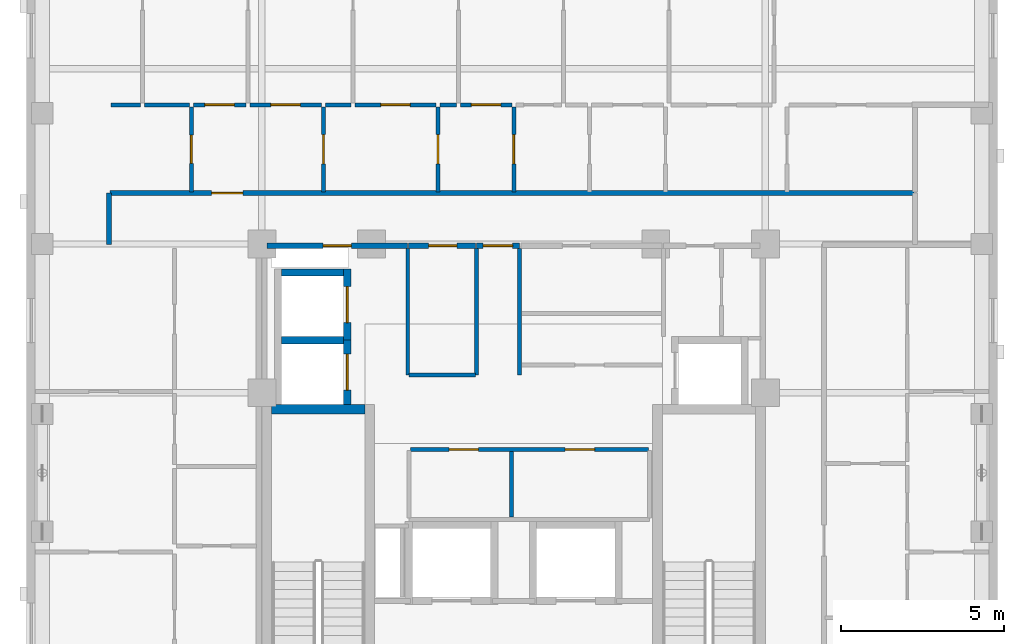
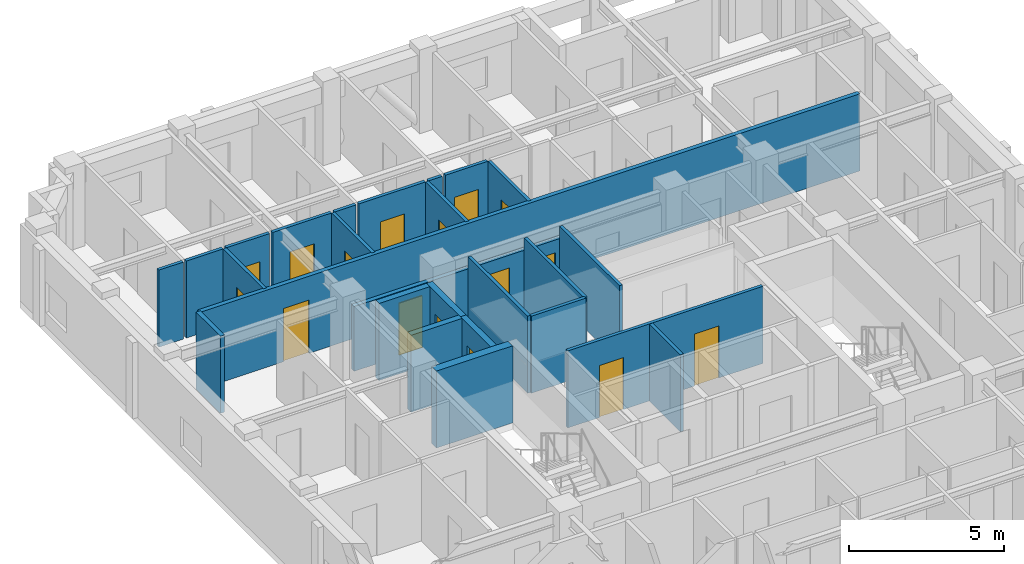
# One storey, part 5 of 11: 28 walls, 16 doors, 16 openings.
"""IFC4 building model written with IfcOpenShell, lengths in metres."""

from ifc_helpers import new_model, si_unit, derived_unit, direction, frame, frame_2d, origin, place, context, subcontext, project, spatial, rectangle, extrude, material, layer, layer_set, type_object, element, fill, save


model = new_model("IFC4")

# Units and contexts
model_context = context("Model", 3, precision=1e-05, world=origin(), true_north=direction((0.0, 1.0)))
body_context = subcontext(model_context, "Body", "Model", "MODEL_VIEW")
ifc_project = project(units=[si_unit("LENGTHUNIT", "METRE"), si_unit("AREAUNIT", "SQUARE_METRE"), si_unit("VOLUMEUNIT", "CUBIC_METRE"), si_unit("PLANEANGLEUNIT", "RADIAN"), si_unit("MASSUNIT", "GRAM", prefix="KILO"), derived_unit("THERMALTRANSMITTANCEUNIT", [(si_unit("MASSUNIT", "GRAM", prefix="KILO"), 1), (si_unit("TIMEUNIT", "SECOND"), -3), (si_unit("THERMODYNAMICTEMPERATUREUNIT", "KELVIN"), -1)])], contexts=[model_context])

# Site, building, storey
site_placement = place(None, origin())
site = spatial("IfcSite", under=ifc_project, at=site_placement, CompositionType="ELEMENT")
building_placement = place(site_placement, origin())
building = spatial("IfcBuilding", under=site, at=building_placement, Name="Korrvale Station Residences", CompositionType="ELEMENT")
storey_placement = place(building_placement, frame((0.0, 0.0, 194.199951171875)))
storey = spatial("IfcBuildingStorey", under=building, at=storey_placement, Name="L56", CompositionType="ELEMENT", Elevation=194.199951171875)

# Walls
ifc_material_1 = material(Name="Concrete C50/60", Category="concrete")
ifc_layer_1 = layer(ifc_material_1, 0.300048828125, Name="Concrete C50/60")
ifc_layer_set_1 = layer_set([ifc_layer_1], Name="Concrete C50/60")
wall_type_1 = type_object("IfcWallType", Name="WAL-CORE-300-C50", PredefinedType="SHEAR", material=ifc_layer_set_1)
wall_1_placement = place(storey_placement, frame((18.10009765625, 23.949951171875, 0.0), z_axis=(0.0, 0.0, 1.0), x_axis=(1.0, 0.0, 0.0)))
element("IfcWall", 1, at=wall_1_placement, inside=storey, type_object=wall_type_1, Name="L56 ST-1 Core Shear Wall North", PredefinedType="SHEAR", context=body_context, shape_type="SweptSolid", body=[
    extrude(rectangle(XDim=2.849853515625, YDim=0.300048828125, at=frame_2d((1.4248046875, 0.0))), origin(), (0.0, 0.0, 1.0), 3.0400390625),
])
ifc_material_2 = material(Name="Acoustic steel-stud gypsum board partition", Category="steel")
ifc_layer_2 = layer(ifc_material_2, 0.1201171875, Name="Acoustic steel-stud gypsum board partition")
ifc_layer_set_2 = layer_set([ifc_layer_2], Name="Acoustic steel-stud gypsum board partition")
wall_type_2 = type_object("IfcWallType", Name="WAL-PART-125", PredefinedType="PARTITIONING", material=ifc_layer_set_2)
for number, where, z_axis, x_axis, name in (
    (2, (24.360107421875, 25.0, 0.0), (0.0, 0.0, 1.0), (0.0, 1.0, 0.0), "L56 Core Partition CW-PSG-W"),
    (3, (25.679931640625, 25.0, 0.0), (0.0, 0.0, 1.0), (0.0, 1.0, 0.0), "L56 Core Partition CW-PSG-E"),
):
    element("IfcWall", number, at=place(storey_placement, frame(where, z_axis=z_axis, x_axis=x_axis)), inside=storey, type_object=wall_type_2, Name=name, PredefinedType="PARTITIONING", context=body_context, shape_type="SweptSolid", body=[
        extrude(rectangle(XDim=3.8701171875, YDim=0.1201171875, at=frame_2d((1.93505859375, 0.0))), origin(), (0.0, 0.0, 1.0), 3.0400390625),
    ])
wall_2_placement = place(storey_placement, frame((22.260009765625, 25.0, 0.0), z_axis=(0.0, 0.0, 1.0), x_axis=(0.0, 1.0, 0.0)))
element("IfcWall", 4, at=wall_2_placement, inside=storey, type_object=wall_type_2, Name="L56 Core Partition CW-FPLW-W", PredefinedType="PARTITIONING", context=body_context, shape_type="SweptSolid", body=[
    extrude(rectangle(XDim=3.860107421875, YDim=0.1201171875, at=frame_2d((1.93017578125, 0.0))), origin(), (0.0, 0.0, 1.0), 3.0400390625),
])
wall_3_placement = place(storey_placement, frame((22.300048828125, 25.0, 0.0), z_axis=(0.0, 0.0, 1.0), x_axis=(1.0, 0.0, 0.0)))
element("IfcWall", 5, at=wall_3_placement, inside=storey, type_object=wall_type_2, Name="L56 Core Partition CW-FPLW-S", PredefinedType="PARTITIONING", context=body_context, shape_type="SweptSolid", body=[
    extrude(rectangle(XDim=2.0400390625, YDim=0.1201171875, at=frame_2d((1.02001953125, 0.0))), origin(), (0.0, 0.0, 1.0), 3.0400390625),
])
wall_4_placement = place(storey_placement, frame((25.43994140625, 20.64990234375, 0.0), z_axis=(0.0, 0.0, 1.0), x_axis=(0.0, 1.0, 0.0)))
element("IfcWall", 6, at=wall_4_placement, inside=storey, type_object=wall_type_2, Name="L56 Core Partition CW-FPM-M", PredefinedType="PARTITIONING", context=body_context, shape_type="SweptSolid", body=[
    extrude(rectangle(XDim=2.0, YDim=0.1201171875, at=frame_2d((1.0, 0.0))), origin(), (0.0, 0.0, 1.0), 3.0400390625),
])

# Wall, openings, doors
wall_5_placement = place(storey_placement, frame((22.35009765625, 22.719970703125, 0.0), z_axis=(0.0, 0.0, 1.0), x_axis=(1.0, 0.0, 0.0)))
wall_5 = element("IfcWall", 7, at=wall_5_placement, inside=storey, type_object=wall_type_2, Name="L56 Core Partition CW-FPM-N", PredefinedType="PARTITIONING", context=body_context, shape_type="SweptSolid", body=[
    extrude(rectangle(XDim=7.27001953125, YDim=0.1201171875, at=frame_2d((3.635009765625, 0.0))), origin(), (0.0, 0.0, 1.0), 3.0400390625),
])
opening_1_placement = place(wall_5_placement, frame((1.175048828125, 0.0, 0.0)))
opening_1 = element("IfcOpeningElement", 8, at=opening_1_placement, cuts=wall_5, Name="Opening DI-900", PredefinedType="OPENING", context=body_context, shape_type="SweptSolid", body=[
    extrude(rectangle(XDim=0.89990234375, YDim=2.050048828125, at=frame_2d((0.449951171875, 1.02490234375))), frame((0.0, 0.070068359375, 0.0), z_axis=(0.0, -1.0, 0.0), x_axis=(1.0, 0.0, 0.0)), (0.0, 0.0, 1.0), 0.14013671875),
])
opening_2_placement = place(wall_5_placement, frame((4.72509765625, 0.0, 0.0)))
opening_2 = element("IfcOpeningElement", 9, at=opening_2_placement, cuts=wall_5, Name="Opening DI-900", PredefinedType="OPENING", context=body_context, shape_type="SweptSolid", body=[
    extrude(rectangle(XDim=0.89990234375, YDim=2.050048828125, at=frame_2d((0.449951171875, 1.02490234375))), frame((0.0, 0.070068359375, 0.0), z_axis=(0.0, -1.0, 0.0), x_axis=(1.0, 0.0, 0.0)), (0.0, 0.0, 1.0), 0.14013671875),
])
ifc_material_3 = material(Name="Painted solid-core timber interior room door", Category="wood")
door_type_1 = type_object("IfcDoorType", Name="DR-INT-900", OperationType="NOTDEFINED", PredefinedType="DOOR", material=ifc_material_3)
door_1_placement = place(opening_1_placement, origin())
door_1 = element("IfcDoor", 10, at=door_1_placement, inside=storey, type_object=door_type_1, Name="L56 Sky Pantry Door", OperationType="SINGLE_SWING_LEFT", OverallHeight=2.050048828125, OverallWidth=0.89990234375, PredefinedType="DOOR", context=body_context, shape_type="SweptSolid", body=[
    extrude(rectangle(XDim=0.89990234375, YDim=2.050048828125, at=frame_2d((0.449951171875, 1.02490234375))), frame((0.0, 0.02490234375, 0.0), z_axis=(0.0, -1.0, 0.0), x_axis=(1.0, 0.0, 0.0)), (0.0, 0.0, 1.0), 0.050048828125),
])
fill(opening_1, door_1)
door_2_placement = place(opening_2_placement, origin())
door_2 = element("IfcDoor", 11, at=door_2_placement, inside=storey, type_object=door_type_1, Name="L56 Concierge Supply Door", OperationType="SINGLE_SWING_RIGHT", OverallHeight=2.050048828125, OverallWidth=0.89990234375, PredefinedType="DOOR", context=body_context, shape_type="SweptSolid", body=[
    extrude(rectangle(XDim=0.89990234375, YDim=2.050048828125, at=frame_2d((0.449951171875, 1.02490234375))), frame((0.0, 0.02490234375, 0.0), z_axis=(0.0, -1.0, 0.0), x_axis=(1.0, 0.0, 0.0)), (0.0, 0.0, 1.0), 0.050048828125),
])
fill(opening_2, door_2)

# Wall, opening, door
wall_6_placement = place(storey_placement, frame((15.639892578125, 30.60009765625, 0.0), z_axis=(0.0, 0.0, 1.0), x_axis=(0.0, 1.0, 0.0)))
wall_6 = element("IfcWall", 12, at=wall_6_placement, inside=storey, type_object=wall_type_2, Name="L56 Suite Partition U03-V01", PredefinedType="PARTITIONING", context=body_context, shape_type="SweptSolid", body=[
    extrude(rectangle(XDim=2.599853515625, YDim=0.1201171875, at=frame_2d((1.2998046875, 0.0))), origin(), (0.0, 0.0, 1.0), 3.0400390625),
])
opening_3_placement = place(wall_6_placement, frame((0.8701171875, 0.0, 0.0)))
opening_3 = element("IfcOpeningElement", 13, at=opening_3_placement, cuts=wall_6, Name="Opening DB-860", PredefinedType="OPENING", context=body_context, shape_type="SweptSolid", body=[
    extrude(rectangle(XDim=0.860107421875, YDim=2.050048828125, at=frame_2d((0.43017578125, 1.02490234375))), frame((0.0, 0.070068359375, 0.0), z_axis=(0.0, -1.0, 0.0), x_axis=(1.0, 0.0, 0.0)), (0.0, 0.0, 1.0), 0.14013671875),
])
ifc_material_4 = material(Name="Moisture-resistant solid-core bathroom door", Category="timber")
door_type_2 = type_object("IfcDoorType", Name="DR-BATH-860", OperationType="NOTDEFINED", PredefinedType="DOOR", material=ifc_material_4)
door_3_placement = place(opening_3_placement, origin())
door_3 = element("IfcDoor", 14, at=door_3_placement, inside=storey, type_object=door_type_2, Name="L56 Studio Apartment L56-U03 Bathroom Door", OperationType="SINGLE_SWING_LEFT", OverallHeight=2.050048828125, OverallWidth=0.860107421875, PredefinedType="DOOR", context=body_context, shape_type="SweptSolid", body=[
    extrude(rectangle(XDim=0.860107421875, YDim=2.050048828125, at=frame_2d((0.43017578125, 1.02490234375))), frame((0.0, 0.02490234375, 0.0), z_axis=(0.0, -1.0, 0.0), x_axis=(1.0, 0.0, 0.0)), (0.0, 0.0, 1.0), 0.050048828125),
])
fill(opening_3, door_3)

# Walls
wall_7_placement = place(storey_placement, frame((13.179931640625, 33.260009765625, 0.0), z_axis=(0.0, 0.0, 1.0), x_axis=(1.0, 0.0, 0.0)))
element("IfcWall", 15, at=wall_7_placement, inside=storey, type_object=wall_type_2, Name="L56 Suite Partition U03-H08", PredefinedType="PARTITIONING", context=body_context, shape_type="SweptSolid", body=[
    extrude(rectangle(XDim=0.91015625, YDim=0.1201171875, at=frame_2d((0.455078125, 0.0))), origin(), (0.0, 0.0, 1.0), 3.0400390625),
])
wall_8_placement = place(storey_placement, frame((14.2099609375, 33.260009765625, 0.0), z_axis=(0.0, 0.0, 1.0), x_axis=(1.0, 0.0, 0.0)))
element("IfcWall", 16, at=wall_8_placement, inside=storey, type_object=wall_type_2, Name="L56 Suite Partition U03-H09", PredefinedType="PARTITIONING", context=body_context, shape_type="SweptSolid", body=[
    extrude(rectangle(XDim=1.3701171875, YDim=0.1201171875, at=frame_2d((0.68505859375, 0.0))), origin(), (0.0, 0.0, 1.0), 3.0400390625),
])

# Wall, opening, door
wall_9_placement = place(storey_placement, frame((19.679931640625, 30.60009765625, 0.0), z_axis=(0.0, 0.0, 1.0), x_axis=(0.0, 1.0, 0.0)))
wall_9 = element("IfcWall", 17, at=wall_9_placement, inside=storey, type_object=wall_type_2, Name="L56 Suite Partition U03-V12", PredefinedType="PARTITIONING", context=body_context, shape_type="SweptSolid", body=[
    extrude(rectangle(XDim=2.599853515625, YDim=0.1201171875, at=frame_2d((1.2998046875, 0.0))), origin(), (0.0, 0.0, 1.0), 3.0400390625),
])
opening_4_placement = place(wall_9_placement, frame((0.85009765625, 0.0, 0.0)))
opening_4 = element("IfcOpeningElement", 18, at=opening_4_placement, cuts=wall_9, Name="Opening DI-900", PredefinedType="OPENING", context=body_context, shape_type="SweptSolid", body=[
    extrude(rectangle(XDim=0.89990234375, YDim=2.050048828125, at=frame_2d((0.449951171875, 1.02490234375))), frame((0.0, 0.070068359375, 0.0), z_axis=(0.0, -1.0, 0.0), x_axis=(1.0, 0.0, 0.0)), (0.0, 0.0, 1.0), 0.14013671875),
])
door_4_placement = place(opening_4_placement, origin())
door_4 = element("IfcDoor", 19, at=door_4_placement, inside=storey, type_object=door_type_1, Name="L56 Studio Apartment L56-U03 Kitchen Door", OperationType="SINGLE_SWING_RIGHT", OverallHeight=2.050048828125, OverallWidth=0.89990234375, PredefinedType="DOOR", context=body_context, shape_type="SweptSolid", body=[
    extrude(rectangle(XDim=0.89990234375, YDim=2.050048828125, at=frame_2d((0.449951171875, 1.02490234375))), frame((0.0, 0.02490234375, 0.0), z_axis=(0.0, -1.0, 0.0), x_axis=(1.0, 0.0, 0.0)), (0.0, 0.0, 1.0), 0.050048828125),
])
fill(opening_4, door_4)

wall_10_placement = place(storey_placement, frame((15.699951171875, 33.260009765625, 0.0), z_axis=(0.0, 0.0, 1.0), x_axis=(1.0, 0.0, 0.0)))
wall_10 = element("IfcWall", 20, at=wall_10_placement, inside=storey, type_object=wall_type_2, Name="L56 Suite Partition U03-H19", PredefinedType="PARTITIONING", context=body_context, shape_type="SweptSolid", body=[
    extrude(rectangle(XDim=1.610107421875, YDim=0.1201171875, at=frame_2d((0.80517578125, 0.0))), origin(), (0.0, 0.0, 1.0), 3.0400390625),
])
opening_5_placement = place(wall_10_placement, frame((0.35498046875, 0.0, 0.0)))
opening_5 = element("IfcOpeningElement", 21, at=opening_5_placement, cuts=wall_10, Name="Opening DI-900", PredefinedType="OPENING", context=body_context, shape_type="SweptSolid", body=[
    extrude(rectangle(XDim=0.89990234375, YDim=2.050048828125, at=frame_2d((0.449951171875, 1.02490234375))), frame((0.0, 0.070068359375, 0.0), z_axis=(0.0, -1.0, 0.0), x_axis=(1.0, 0.0, 0.0)), (0.0, 0.0, 1.0), 0.14013671875),
])
door_5_placement = place(opening_5_placement, origin())
door_5 = element("IfcDoor", 22, at=door_5_placement, inside=storey, type_object=door_type_1, Name="L56 Studio Apartment L56-U03 Kitchen Door", OperationType="SINGLE_SWING_LEFT", OverallHeight=2.050048828125, OverallWidth=0.89990234375, PredefinedType="DOOR", context=body_context, shape_type="SweptSolid", body=[
    extrude(rectangle(XDim=0.89990234375, YDim=2.050048828125, at=frame_2d((0.449951171875, 1.02490234375))), frame((0.0, 0.02490234375, 0.0), z_axis=(0.0, -1.0, 0.0), x_axis=(1.0, 0.0, 0.0)), (0.0, 0.0, 1.0), 0.050048828125),
])
fill(opening_5, door_5)

wall_11_placement = place(storey_placement, frame((17.429931640625, 33.260009765625, 0.0), z_axis=(0.0, 0.0, 1.0), x_axis=(1.0, 0.0, 0.0)))
wall_11 = element("IfcWall", 23, at=wall_11_placement, inside=storey, type_object=wall_type_2, Name="L56 Suite Partition U03-H110", PredefinedType="PARTITIONING", context=body_context, shape_type="SweptSolid", body=[
    extrude(rectangle(XDim=2.190185546875, YDim=0.1201171875, at=frame_2d((1.09521484375, 0.0))), origin(), (0.0, 0.0, 1.0), 3.0400390625),
])
opening_6_placement = place(wall_11_placement, frame((0.64501953125, 0.0, 0.0)))
opening_6 = element("IfcOpeningElement", 24, at=opening_6_placement, cuts=wall_11, Name="Opening DI-900", PredefinedType="OPENING", context=body_context, shape_type="SweptSolid", body=[
    extrude(rectangle(XDim=0.89990234375, YDim=2.050048828125, at=frame_2d((0.449951171875, 1.02490234375))), frame((0.0, 0.070068359375, 0.0), z_axis=(0.0, -1.0, 0.0), x_axis=(1.0, 0.0, 0.0)), (0.0, 0.0, 1.0), 0.14013671875),
])
door_6_placement = place(opening_6_placement, origin())
door_6 = element("IfcDoor", 25, at=door_6_placement, inside=storey, type_object=door_type_1, Name="L56 Studio Apartment L56-U03 Kitchen Door", OperationType="SINGLE_SWING_RIGHT", OverallHeight=2.050048828125, OverallWidth=0.89990234375, PredefinedType="DOOR", context=body_context, shape_type="SweptSolid", body=[
    extrude(rectangle(XDim=0.89990234375, YDim=2.050048828125, at=frame_2d((0.449951171875, 1.02490234375))), frame((0.0, 0.02490234375, 0.0), z_axis=(0.0, -1.0, 0.0), x_axis=(1.0, 0.0, 0.0)), (0.0, 0.0, 1.0), 0.050048828125),
])
fill(opening_6, door_6)

wall_12_placement = place(storey_placement, frame((23.18505859375, 30.60009765625, 0.0), z_axis=(0.0, 0.0, 1.0), x_axis=(0.0, 1.0, 0.0)))
wall_12 = element("IfcWall", 26, at=wall_12_placement, inside=storey, type_object=wall_type_2, Name="L56 Suite Partition U03-V23", PredefinedType="PARTITIONING", context=body_context, shape_type="SweptSolid", body=[
    extrude(rectangle(XDim=2.599853515625, YDim=0.1201171875, at=frame_2d((1.2998046875, 0.0))), origin(), (0.0, 0.0, 1.0), 3.0400390625),
])
opening_7_placement = place(wall_12_placement, frame((0.85009765625, 0.0, 0.0)))
opening_7 = element("IfcOpeningElement", 27, at=opening_7_placement, cuts=wall_12, Name="Opening DI-900", PredefinedType="OPENING", context=body_context, shape_type="SweptSolid", body=[
    extrude(rectangle(XDim=0.89990234375, YDim=2.050048828125, at=frame_2d((0.449951171875, 1.02490234375))), frame((0.0, 0.070068359375, 0.0), z_axis=(0.0, -1.0, 0.0), x_axis=(1.0, 0.0, 0.0)), (0.0, 0.0, 1.0), 0.14013671875),
])
door_7_placement = place(opening_7_placement, origin())
door_7 = element("IfcDoor", 28, at=door_7_placement, inside=storey, type_object=door_type_1, Name="L56 Studio Apartment L56-U03 Home Study Room Door", OperationType="SINGLE_SWING_LEFT", OverallHeight=2.050048828125, OverallWidth=0.89990234375, PredefinedType="DOOR", context=body_context, shape_type="SweptSolid", body=[
    extrude(rectangle(XDim=0.89990234375, YDim=2.050048828125, at=frame_2d((0.449951171875, 1.02490234375))), frame((0.0, 0.02490234375, 0.0), z_axis=(0.0, -1.0, 0.0), x_axis=(1.0, 0.0, 0.0)), (0.0, 0.0, 1.0), 0.050048828125),
])
fill(opening_7, door_7)

# Wall
wall_13_placement = place(storey_placement, frame((19.739990234375, 33.260009765625, 0.0), z_axis=(0.0, 0.0, 1.0), x_axis=(1.0, 0.0, 0.0)))
element("IfcWall", 29, at=wall_13_placement, inside=storey, type_object=wall_type_2, Name="L56 Suite Partition U03-H210", PredefinedType="PARTITIONING", context=body_context, shape_type="SweptSolid", body=[
    extrude(rectangle(XDim=0.7900390625, YDim=0.1201171875, at=frame_2d((0.39501953125, 0.0))), origin(), (0.0, 0.0, 1.0), 3.0400390625),
])

# Wall, opening, door
wall_14_placement = place(storey_placement, frame((20.64990234375, 33.260009765625, 0.0), z_axis=(0.0, 0.0, 1.0), x_axis=(1.0, 0.0, 0.0)))
wall_14 = element("IfcWall", 30, at=wall_14_placement, inside=storey, type_object=wall_type_2, Name="L56 Suite Partition U03-H211", PredefinedType="PARTITIONING", context=body_context, shape_type="SweptSolid", body=[
    extrude(rectangle(XDim=2.47509765625, YDim=0.1201171875, at=frame_2d((1.237548828125, 0.0))), origin(), (0.0, 0.0, 1.0), 3.0400390625),
])
opening_8_placement = place(wall_14_placement, frame((0.787109375, 0.0, 0.0)))
opening_8 = element("IfcOpeningElement", 31, at=opening_8_placement, cuts=wall_14, Name="Opening DI-900", PredefinedType="OPENING", context=body_context, shape_type="SweptSolid", body=[
    extrude(rectangle(XDim=0.89990234375, YDim=2.050048828125, at=frame_2d((0.449951171875, 1.02490234375))), frame((0.0, 0.070068359375, 0.0), z_axis=(0.0, -1.0, 0.0), x_axis=(1.0, 0.0, 0.0)), (0.0, 0.0, 1.0), 0.14013671875),
])
door_8_placement = place(opening_8_placement, origin())
door_8 = element("IfcDoor", 32, at=door_8_placement, inside=storey, type_object=door_type_1, Name="L56 Studio Apartment L56-U03 Home Study Room Door", OperationType="SINGLE_SWING_RIGHT", OverallHeight=2.050048828125, OverallWidth=0.89990234375, PredefinedType="DOOR", context=body_context, shape_type="SweptSolid", body=[
    extrude(rectangle(XDim=0.89990234375, YDim=2.050048828125, at=frame_2d((0.449951171875, 1.02490234375))), frame((0.0, 0.02490234375, 0.0), z_axis=(0.0, -1.0, 0.0), x_axis=(1.0, 0.0, 0.0)), (0.0, 0.0, 1.0), 0.050048828125),
])
fill(opening_8, door_8)

wall_15_placement = place(storey_placement, frame((25.5048828125, 30.60009765625, 0.0), z_axis=(0.0, 0.0, 1.0), x_axis=(0.0, 1.0, 0.0)))
wall_15 = element("IfcWall", 33, at=wall_15_placement, inside=storey, type_object=wall_type_2, Name="L56 Suite Partition U03-V34", PredefinedType="PARTITIONING", context=body_context, shape_type="SweptSolid", body=[
    extrude(rectangle(XDim=2.599853515625, YDim=0.1201171875, at=frame_2d((1.2998046875, 0.0))), origin(), (0.0, 0.0, 1.0), 3.0400390625),
])
opening_9_placement = place(wall_15_placement, frame((0.85009765625, 0.0, 0.0)))
opening_9 = element("IfcOpeningElement", 34, at=opening_9_placement, cuts=wall_15, Name="Opening DI-900", PredefinedType="OPENING", context=body_context, shape_type="SweptSolid", body=[
    extrude(rectangle(XDim=0.89990234375, YDim=2.050048828125, at=frame_2d((0.449951171875, 1.02490234375))), frame((0.0, 0.070068359375, 0.0), z_axis=(0.0, -1.0, 0.0), x_axis=(1.0, 0.0, 0.0)), (0.0, 0.0, 1.0), 0.14013671875),
])
door_9_placement = place(opening_9_placement, origin())
door_9 = element("IfcDoor", 35, at=door_9_placement, inside=storey, type_object=door_type_1, Name="L56 Studio Apartment L56-U03 Wardrobe Storage Room Door", OperationType="SINGLE_SWING_LEFT", OverallHeight=2.050048828125, OverallWidth=0.89990234375, PredefinedType="DOOR", context=body_context, shape_type="SweptSolid", body=[
    extrude(rectangle(XDim=0.89990234375, YDim=2.050048828125, at=frame_2d((0.449951171875, 1.02490234375))), frame((0.0, 0.02490234375, 0.0), z_axis=(0.0, -1.0, 0.0), x_axis=(1.0, 0.0, 0.0)), (0.0, 0.0, 1.0), 0.050048828125),
])
fill(opening_9, door_9)

# Wall
wall_16_placement = place(storey_placement, frame((23.2451171875, 33.260009765625, 0.0), z_axis=(0.0, 0.0, 1.0), x_axis=(1.0, 0.0, 0.0)))
element("IfcWall", 36, at=wall_16_placement, inside=storey, type_object=wall_type_2, Name="L56 Suite Partition U03-H311", PredefinedType="PARTITIONING", context=body_context, shape_type="SweptSolid", body=[
    extrude(rectangle(XDim=0.5048828125, YDim=0.1201171875, at=frame_2d((0.25244140625, 0.0))), origin(), (0.0, 0.0, 1.0), 3.0400390625),
])

# Wall, opening, door
wall_17_placement = place(storey_placement, frame((23.8701171875, 33.260009765625, 0.0), z_axis=(0.0, 0.0, 1.0), x_axis=(1.0, 0.0, 0.0)))
wall_17 = element("IfcWall", 37, at=wall_17_placement, inside=storey, type_object=wall_type_2, Name="L56 Suite Partition U03-H312", PredefinedType="PARTITIONING", context=body_context, shape_type="SweptSolid", body=[
    extrude(rectangle(XDim=1.574951171875, YDim=0.1201171875, at=frame_2d((0.78759765625, 0.0))), origin(), (0.0, 0.0, 1.0), 3.0400390625),
])
opening_10_placement = place(wall_17_placement, frame((0.3369140625, 0.0, 0.0)))
opening_10 = element("IfcOpeningElement", 38, at=opening_10_placement, cuts=wall_17, Name="Opening DI-900", PredefinedType="OPENING", context=body_context, shape_type="SweptSolid", body=[
    extrude(rectangle(XDim=0.89990234375, YDim=2.050048828125, at=frame_2d((0.449951171875, 1.02490234375))), frame((0.0, 0.070068359375, 0.0), z_axis=(0.0, -1.0, 0.0), x_axis=(1.0, 0.0, 0.0)), (0.0, 0.0, 1.0), 0.14013671875),
])
door_10_placement = place(opening_10_placement, origin())
door_10 = element("IfcDoor", 39, at=door_10_placement, inside=storey, type_object=door_type_1, Name="L56 Studio Apartment L56-U03 Wardrobe Storage Room Door", OperationType="SINGLE_SWING_RIGHT", OverallHeight=2.050048828125, OverallWidth=0.89990234375, PredefinedType="DOOR", context=body_context, shape_type="SweptSolid", body=[
    extrude(rectangle(XDim=0.89990234375, YDim=2.050048828125, at=frame_2d((0.449951171875, 1.02490234375))), frame((0.0, 0.02490234375, 0.0), z_axis=(0.0, -1.0, 0.0), x_axis=(1.0, 0.0, 0.0)), (0.0, 0.0, 1.0), 0.050048828125),
])
fill(opening_10, door_10)

ifc_material_5 = material(Name="Fire-rated twin-stud gypsum and mineral wool shaftwall assembly", Category="gypsum")
ifc_layer_3 = layer(ifc_material_5, 0.159912109375, Name="Fire-rated twin-stud gypsum and mineral wool shaftwall assembly")
ifc_layer_set_3 = layer_set([ifc_layer_3], Name="Fire-rated twin-stud gypsum and mineral wool shaftwall assembly")
wall_type_3 = type_object("IfcWallType", Name="WAL-PART-200", PredefinedType="PARTITIONING", material=ifc_layer_set_3)
wall_18_placement = place(storey_placement, frame((24.360107421875, 28.949951171875, 0.0), z_axis=(0.0, 0.0, 1.0), x_axis=(1.0, 0.0, 0.0)))
wall_18 = element("IfcWall", 40, at=wall_18_placement, inside=storey, type_object=wall_type_3, Name="L56 Core Partition CW-LLOB-N", PredefinedType="PARTITIONING", context=body_context, shape_type="SweptSolid", body=[
    extrude(rectangle(XDim=1.31982421875, YDim=0.159912109375, at=frame_2d((0.659912109375, 0.0))), origin(), (0.0, 0.0, 1.0), 2.55615234375),
])
opening_11_placement = place(wall_18_placement, frame((0.2099609375, 0.0, 0.0)))
opening_11 = element("IfcOpeningElement", 41, at=opening_11_placement, cuts=wall_18, Name="Opening DI-900", PredefinedType="OPENING", context=body_context, shape_type="SweptSolid", body=[
    extrude(rectangle(XDim=0.89990234375, YDim=2.050048828125, at=frame_2d((0.449951171875, 1.02490234375))), frame((0.0, 0.08984375, 0.0), z_axis=(0.0, -1.0, 0.0), x_axis=(1.0, 0.0, 0.0)), (0.0, 0.0, 1.0), 0.179931640625),
])
door_11_placement = place(opening_11_placement, origin())
door_11 = element("IfcDoor", 42, at=door_11_placement, inside=storey, type_object=door_type_1, Name="L56 Central Hallway North Passage Door", OperationType="SINGLE_SWING_RIGHT", OverallHeight=2.050048828125, OverallWidth=0.89990234375, PredefinedType="DOOR", context=body_context, shape_type="SweptSolid", body=[
    extrude(rectangle(XDim=0.89990234375, YDim=2.050048828125, at=frame_2d((0.449951171875, 1.02490234375))), frame((0.0, 0.02490234375, 0.0), z_axis=(0.0, -1.0, 0.0), x_axis=(1.0, 0.0, 0.0)), (0.0, 0.0, 1.0), 0.050048828125),
])
fill(opening_11, door_11)

wall_19_placement = place(storey_placement, frame((17.9599609375, 28.949951171875, 0.0), z_axis=(0.0, 0.0, 1.0), x_axis=(1.0, 0.0, 0.0)))
wall_19 = element("IfcWall", 43, at=wall_19_placement, inside=storey, type_object=wall_type_3, Name="L56 Core Partition CW-NW", PredefinedType="PARTITIONING", context=body_context, shape_type="SweptSolid", body=[
    extrude(rectangle(XDim=4.2900390625, YDim=0.159912109375, at=frame_2d((2.14501953125, 0.0))), origin(), (0.0, 0.0, 1.0), 2.55615234375),
])
opening_12_placement = place(wall_19_placement, frame((1.715087890625, 0.0, 0.0)))
opening_12 = element("IfcOpeningElement", 44, at=opening_12_placement, cuts=wall_19, Name="Opening DB-860", PredefinedType="OPENING", context=body_context, shape_type="SweptSolid", body=[
    extrude(rectangle(XDim=0.860107421875, YDim=2.050048828125, at=frame_2d((0.43017578125, 1.02490234375))), frame((0.0, 0.08984375, 0.0), z_axis=(0.0, -1.0, 0.0), x_axis=(1.0, 0.0, 0.0)), (0.0, 0.0, 1.0), 0.179931640625),
])
door_12_placement = place(opening_12_placement, origin())
door_12 = element("IfcDoor", 45, at=door_12_placement, inside=storey, type_object=door_type_2, Name="L56 Electrical Riser Access Door", OperationType="SINGLE_SWING_LEFT", OverallHeight=2.050048828125, OverallWidth=0.860107421875, PredefinedType="DOOR", context=body_context, shape_type="SweptSolid", body=[
    extrude(rectangle(XDim=0.860107421875, YDim=2.050048828125, at=frame_2d((0.43017578125, 1.02490234375))), frame((0.0, 0.02490234375, 0.0), z_axis=(0.0, -1.0, 0.0), x_axis=(1.0, 0.0, 0.0)), (0.0, 0.0, 1.0), 0.050048828125),
])
fill(opening_12, door_12)

wall_20_placement = place(storey_placement, frame((22.280029296875, 28.949951171875, 0.0), z_axis=(0.0, 0.0, 1.0), x_axis=(1.0, 0.0, 0.0)))
wall_20 = element("IfcWall", 46, at=wall_20_placement, inside=storey, type_object=wall_type_3, Name="L56 Core Partition CW-FPLW-N", PredefinedType="PARTITIONING", context=body_context, shape_type="SweptSolid", body=[
    extrude(rectangle(XDim=2.06005859375, YDim=0.159912109375, at=frame_2d((1.030029296875, 0.0))), origin(), (0.0, 0.0, 1.0), 2.55615234375),
])
opening_13_placement = place(wall_20_placement, frame((0.6201171875, 0.0, 0.0)))
opening_13 = element("IfcOpeningElement", 47, at=opening_13_placement, cuts=wall_20, Name="Opening DB-860", PredefinedType="OPENING", context=body_context, shape_type="SweptSolid", body=[
    extrude(rectangle(XDim=0.860107421875, YDim=2.050048828125, at=frame_2d((0.43017578125, 1.02490234375))), frame((0.0, 0.08984375, 0.0), z_axis=(0.0, -1.0, 0.0), x_axis=(1.0, 0.0, 0.0)), (0.0, 0.0, 1.0), 0.179931640625),
])
door_13_placement = place(opening_13_placement, origin())
door_13 = element("IfcDoor", 48, at=door_13_placement, inside=storey, type_object=door_type_2, Name="L56 Resident Parcel Room Door", OperationType="SINGLE_SWING_RIGHT", OverallHeight=2.050048828125, OverallWidth=0.860107421875, PredefinedType="DOOR", context=body_context, shape_type="SweptSolid", body=[
    extrude(rectangle(XDim=0.860107421875, YDim=2.050048828125, at=frame_2d((0.43017578125, 1.02490234375))), frame((0.0, 0.02490234375, 0.0), z_axis=(0.0, -1.0, 0.0), x_axis=(1.0, 0.0, 0.0)), (0.0, 0.0, 1.0), 0.050048828125),
])
fill(opening_13, door_13)

# Wall
wall_21_placement = place(storey_placement, frame((13.1201171875, 28.97998046875, 0.0), z_axis=(0.0, 0.0, 1.0), x_axis=(0.0, 1.0, 0.0)))
element("IfcWall", 49, at=wall_21_placement, inside=storey, type_object=wall_type_3, Name="L56 Corridor North West Cap", PredefinedType="PARTITIONING", context=body_context, shape_type="SweptSolid", body=[
    extrude(rectangle(XDim=1.580078125, YDim=0.159912109375, at=frame_2d((0.7900390625, 0.0))), origin(), (0.0, 0.0, 1.0), 3.0400390625),
])

# Wall, opening, door
wall_22_placement = place(storey_placement, frame((13.14990234375, 30.56005859375, 0.0), z_axis=(0.0, 0.0, 1.0), x_axis=(1.0, 0.0, 0.0)))
wall_22 = element("IfcWall", 50, at=wall_22_placement, inside=storey, type_object=wall_type_3, Name="L56 Rated Corridor Wall N", PredefinedType="PARTITIONING", context=body_context, shape_type="SweptSolid", body=[
    extrude(rectangle(XDim=24.60009765625, YDim=0.159912109375, at=frame_2d((12.300048828125, 0.0))), origin(), (0.0, 0.0, 1.0), 3.0400390625),
])
opening_14_placement = place(wall_22_placement, frame((3.114990234375, 0.0, 0.0)))
opening_14 = element("IfcOpeningElement", 51, at=opening_14_placement, cuts=wall_22, Name="Opening UD-950", PredefinedType="OPENING", context=body_context, shape_type="SweptSolid", body=[
    extrude(rectangle(XDim=0.949951171875, YDim=2.10009765625, at=frame_2d((0.47509765625, 1.050048828125))), frame((0.0, 0.08984375, 0.0), z_axis=(0.0, -1.0, 0.0), x_axis=(1.0, 0.0, 0.0)), (0.0, 0.0, 1.0), 0.179931640625),
])
ifc_material_6 = material(Name="Solid-core acoustic oak apartment entrance door", Category="timber")
door_type_3 = type_object("IfcDoorType", Name="DR-UNIT-950", OperationType="NOTDEFINED", PredefinedType="DOOR", material=ifc_material_6)
door_14_placement = place(opening_14_placement, origin())
door_14 = element("IfcDoor", 52, at=door_14_placement, inside=storey, type_object=door_type_3, Name="L56 Apartment L56-U03 Entrance Door", OperationType="SINGLE_SWING_RIGHT", OverallHeight=2.10009765625, OverallWidth=0.949951171875, PredefinedType="DOOR", context=body_context, shape_type="SweptSolid", body=[
    extrude(rectangle(XDim=0.949951171875, YDim=2.10009765625, at=frame_2d((0.47509765625, 1.050048828125))), frame((0.0, 0.02490234375, 0.0), z_axis=(0.0, -1.0, 0.0), x_axis=(1.0, 0.0, 0.0)), (0.0, 0.0, 1.0), 0.050048828125),
])
fill(opening_14, door_14)

ifc_layer_4 = layer(ifc_material_1, 0.219970703125, Name="Concrete C50/60")
ifc_layer_set_4 = layer_set([ifc_layer_4], Name="Concrete C50/60")
wall_type_4 = type_object("IfcWallType", Name="WAL-SHAFT-220-C50", PredefinedType="SHEAR", material=ifc_layer_set_4)
wall_23_placement = place(storey_placement, frame((20.409912109375, 24.10009765625, 0.0), z_axis=(0.0, 0.0, 1.0), x_axis=(0.0, 1.0, 0.0)))
wall_23 = element("IfcWall", 53, at=wall_23_placement, inside=storey, type_object=wall_type_4, Name="L56 Elevator PH-1 Hoistway Wall East", PredefinedType="SHEAR", context=body_context, shape_type="SweptSolid", body=[
    extrude(rectangle(XDim=1.9599609375, YDim=0.219970703125, at=frame_2d((0.97998046875, 0.0))), origin(), (0.0, 0.0, 1.0), 3.0400390625),
])
opening_15_placement = place(wall_23_placement, frame((0.429931640625, 0.0, 0.0)))
opening_15 = element("IfcOpeningElement", 54, at=opening_15_placement, cuts=wall_23, Name="Opening LD-1100", PredefinedType="OPENING", context=body_context, shape_type="SweptSolid", body=[
    extrude(rectangle(XDim=1.10009765625, YDim=2.14990234375, at=frame_2d((0.550048828125, 1.074951171875))), frame((0.0, 0.1201171875, 0.0), z_axis=(0.0, -1.0, 0.0), x_axis=(1.0, 0.0, 0.0)), (0.0, 0.0, 1.0), 0.239990234375),
])
ifc_material_7 = material(Name="Brushed stainless-steel elevator landing sliding door", Category="steel")
door_type_4 = type_object("IfcDoorType", Name="DR-LIFT-1100", OperationType="SLIDING_TO_LEFT", PredefinedType="DOOR", material=ifc_material_7)
door_15_placement = place(opening_15_placement, origin())
door_15 = element("IfcDoor", 55, at=door_15_placement, inside=storey, type_object=door_type_4, Name="L56 Elevator PH-1 Sliding Landing Door", OperationType="SLIDING_TO_LEFT", OverallHeight=2.14990234375, OverallWidth=1.10009765625, PredefinedType="DOOR", context=body_context, shape_type="SweptSolid", body=[
    extrude(rectangle(XDim=1.10009765625, YDim=2.14990234375, at=frame_2d((0.550048828125, 1.074951171875))), frame((0.0, 0.02490234375, 0.0), z_axis=(0.0, -1.0, 0.0), x_axis=(1.0, 0.0, 0.0)), (0.0, 0.0, 1.0), 0.050048828125),
])
fill(opening_15, door_15)

# Walls
for number, where, z_axis, x_axis, name in (
    (56, (18.39990234375, 26.06005859375, 0.0), (0.0, 0.0, 1.0), (1.0, 0.0, 0.0), "L56 Elevator PH-2 Hoistway Wall South"),
    (57, (18.39990234375, 28.1298828125, 0.0), (0.0, 0.0, 1.0), (1.0, 0.0, 0.0), "L56 Elevator PH-2 Hoistway Wall North"),
):
    element("IfcWall", number, at=place(storey_placement, frame(where, z_axis=z_axis, x_axis=x_axis)), inside=storey, type_object=wall_type_4, Name=name, PredefinedType="SHEAR", context=body_context, shape_type="SweptSolid", body=[
        extrude(rectangle(XDim=1.900146484375, YDim=0.219970703125, at=frame_2d((0.9501953125, 0.0))), origin(), (0.0, 0.0, 1.0), 3.0400390625),
    ])

# Wall, opening, door
wall_24_placement = place(storey_placement, frame((20.409912109375, 26.06005859375, 0.0), z_axis=(0.0, 0.0, 1.0), x_axis=(0.0, 1.0, 0.0)))
wall_24 = element("IfcWall", 58, at=wall_24_placement, inside=storey, type_object=wall_type_4, Name="L56 Elevator PH-2 Hoistway Wall East", PredefinedType="SHEAR", context=body_context, shape_type="SweptSolid", body=[
    extrude(rectangle(XDim=2.179931640625, YDim=0.219970703125, at=frame_2d((1.08984375, 0.0))), origin(), (0.0, 0.0, 1.0), 3.0400390625),
])
opening_16_placement = place(wall_24_placement, frame((0.5400390625, 0.0, 0.0)))
opening_16 = element("IfcOpeningElement", 59, at=opening_16_placement, cuts=wall_24, Name="Opening LD-1100", PredefinedType="OPENING", context=body_context, shape_type="SweptSolid", body=[
    extrude(rectangle(XDim=1.10009765625, YDim=2.14990234375, at=frame_2d((0.550048828125, 1.074951171875))), frame((0.0, 0.1201171875, 0.0), z_axis=(0.0, -1.0, 0.0), x_axis=(1.0, 0.0, 0.0)), (0.0, 0.0, 1.0), 0.239990234375),
])
door_16_placement = place(opening_16_placement, origin())
door_16 = element("IfcDoor", 60, at=door_16_placement, inside=storey, type_object=door_type_4, Name="L56 Elevator PH-2 Sliding Landing Door", OperationType="SLIDING_TO_LEFT", OverallHeight=2.14990234375, OverallWidth=1.10009765625, PredefinedType="DOOR", context=body_context, shape_type="SweptSolid", body=[
    extrude(rectangle(XDim=1.10009765625, YDim=2.14990234375, at=frame_2d((0.550048828125, 1.074951171875))), frame((0.0, 0.02490234375, 0.0), z_axis=(0.0, -1.0, 0.0), x_axis=(1.0, 0.0, 0.0)), (0.0, 0.0, 1.0), 0.050048828125),
])
fill(opening_16, door_16)

save(model, "model.ifc")
